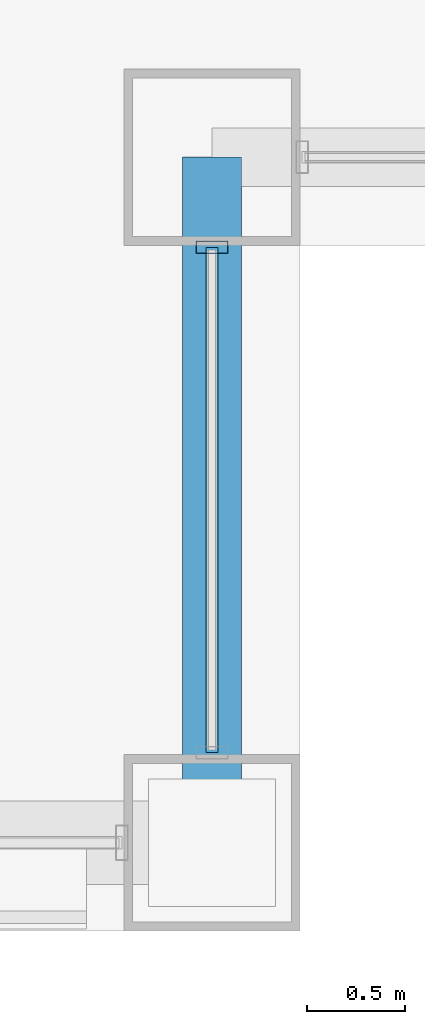
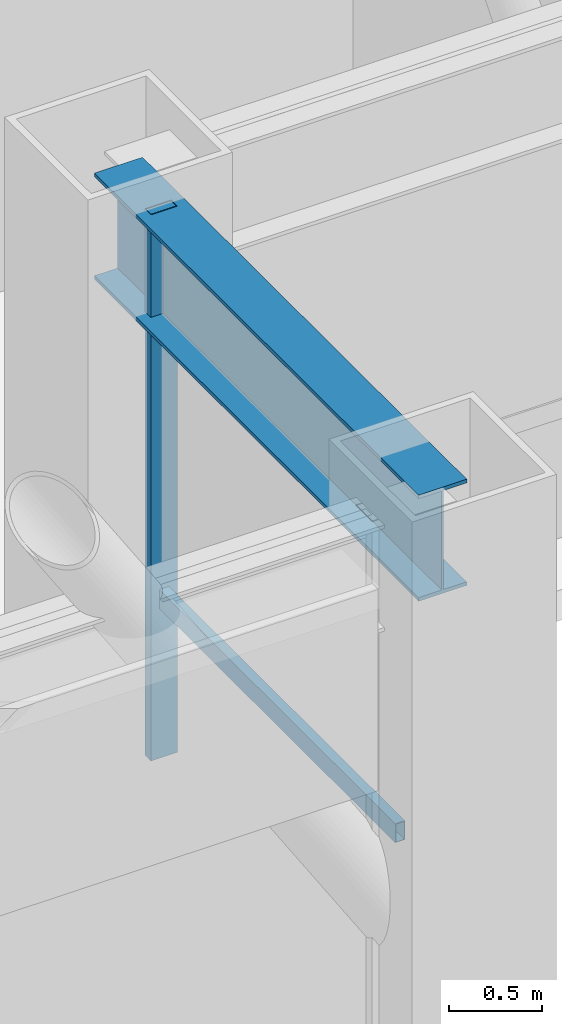
# One storey, part 9 of 30: 2 members, 1 beam, 1 element without a shape of its own.
"""IFC4 building model written with IfcOpenShell, lengths in metres."""

from ifc_helpers import new_model, si_unit, direction, frame, origin, origin_2d, place, context, subcontext, project, spatial, hollow_rectangle, i_section, extrude, material, layer, layer_set, material_profile, profile_set, type_object, element, aggregate, save


model = new_model("IFC4")

# Units and contexts
model_context = context("Model", 3, precision=1e-05, world=origin(), true_north=direction((0.0, 1.0)))
body_context = subcontext(model_context, "Body", "Model", "MODEL_VIEW")
ifc_project = project(units=[si_unit("LENGTHUNIT", "METRE"), si_unit("AREAUNIT", "SQUARE_METRE"), si_unit("VOLUMEUNIT", "CUBIC_METRE"), si_unit("PLANEANGLEUNIT", "RADIAN"), si_unit("MASSUNIT", "GRAM", prefix="KILO")], contexts=[model_context])

# Site, building, storey
site_placement = place(None, origin())
site = spatial("IfcSite", under=ifc_project, at=site_placement, CompositionType="ELEMENT")
building_placement = place(site_placement, origin())
building = spatial("IfcBuilding", under=site, at=building_placement, Name="Brelmoor Portico Tower", CompositionType="ELEMENT")
storey_placement = place(building_placement, frame((0.0, 0.0, 56.39990234375)))
storey = spatial("IfcBuildingStorey", under=building, at=storey_placement, Name="L14", CompositionType="ELEMENT", Elevation=56.39990234375)

# Beam
ifc_material_1 = material(Name="Steel Q355B", Category="steel")
ifc_material_profile_1 = material_profile(ifc_material_1, i_section(OverallWidth=0.300048828125, OverallDepth=0.699951171875, WebThickness=0.012939453125, FlangeThickness=0.02392578125, at=origin_2d()), Name="HN 700x300x13x24")
ifc_profile_set_1 = profile_set([ifc_material_profile_1], Name="Steel Q355B")
beam_type = type_object("IfcBeamType", Name="BM-SP-700", PredefinedType="SPANDREL", material=ifc_profile_set_1)
beam_placement = place(storey_placement, frame((21.050048828125, -21.550048828125, 3.050048828125), z_axis=(0.0, 1.0, 0.0), x_axis=(-1.0, 0.0, 0.0)))
element("IfcBeam", 1, at=beam_placement, inside=storey, type_object=beam_type, Name="L14 Perimeter Spandrel Beam SP-20", PredefinedType="SPANDREL", context=body_context, shape_type="SweptSolid", body=[
    extrude(i_section(OverallWidth=0.300048828125, OverallDepth=0.699951171875, WebThickness=0.012939453125, FlangeThickness=0.02392578125, at=origin_2d()), origin(), (0.0, 0.0, 1.0), 3.5),
])

# Curtain wall, members
ifc_material_2 = material(Name="Anodised Aluminium Alloy 6063-T6", Category="aluminium")
ifc_layer = layer(ifc_material_2, 0.179931640625)
ifc_layer_set = layer_set([ifc_layer], Name="Anodised Aluminium Alloy 6063-T6")
curtain_wall_type = type_object("IfcCurtainWallType", Name="CW-NOTCH-CHAMFER", PredefinedType="NOTDEFINED", material=ifc_layer_set)
curtain_wall_placement = place(storey_placement, origin())
curtain_wall = element("IfcCurtainWall", 2, at=curtain_wall_placement, inside=storey, type_object=curtain_wall_type, Name="L14 Curtain Wall CWN-L14-SEV", PredefinedType="NOTDEFINED")
ifc_material_profile_2 = material_profile(ifc_material_2, hollow_rectangle(XDim=0.06494140625, YDim=0.1650390625, WallThickness=0.00390625, at=origin_2d()), Name="ALU MULLION 65x165")
ifc_profile_set_2 = profile_set([ifc_material_profile_2], Name="Anodised Aluminium Alloy 6063-T6")
member_type_1 = type_object("IfcMemberType", Name="MB-CW-MULL-165", PredefinedType="MULLION", material=ifc_profile_set_2)
member_1_placement = place(storey_placement, frame((21.050048828125, -18.510009765625, -0.199951171875), z_axis=(0.0, 0.0, 1.0), x_axis=(0.0, 1.0, 0.0)))
member_1 = element("IfcMember", 3, at=member_1_placement, type_object=member_type_1, Name="CWN-L14-SEV Mullion 01", PredefinedType="MULLION", context=body_context, shape_type="SweptSolid", body=[
    extrude(hollow_rectangle(XDim=0.06494140625, YDim=0.1650390625, WallThickness=0.00390625, at=origin_2d()), origin(), (0.0, 0.0, 1.0), 3.60009765625),
])
ifc_material_profile_3 = material_profile(ifc_material_2, hollow_rectangle(XDim=0.06005859375, YDim=0.125, WallThickness=0.00341796875, at=origin_2d()), Name="ALU TRANSOM 60x125")
ifc_profile_set_3 = profile_set([ifc_material_profile_3], Name="Anodised Aluminium Alloy 6063-T6")
member_type_2 = type_object("IfcMemberType", Name="MB-CW-TRAN-125", PredefinedType="USERDEFINED", material=ifc_profile_set_3)
member_2_placement = place(storey_placement, frame((21.050048828125, -21.090087890625, 0.85009765625), z_axis=(0.0, 1.0, 0.0), x_axis=(-1.0, 0.0, 0.0)))
member_2 = element("IfcMember", 4, at=member_2_placement, type_object=member_type_2, Name="CWN-L14-SEV Transom 1-00", ObjectType="TRANSOM", PredefinedType="USERDEFINED", context=body_context, shape_type="SweptSolid", body=[
    extrude(hollow_rectangle(XDim=0.06005859375, YDim=0.125, WallThickness=0.00341796875, at=origin_2d()), origin(), (0.0, 0.0, 1.0), 2.580078125),
])
aggregate(curtain_wall, [member_1, member_2])

save(model, "model.ifc")
